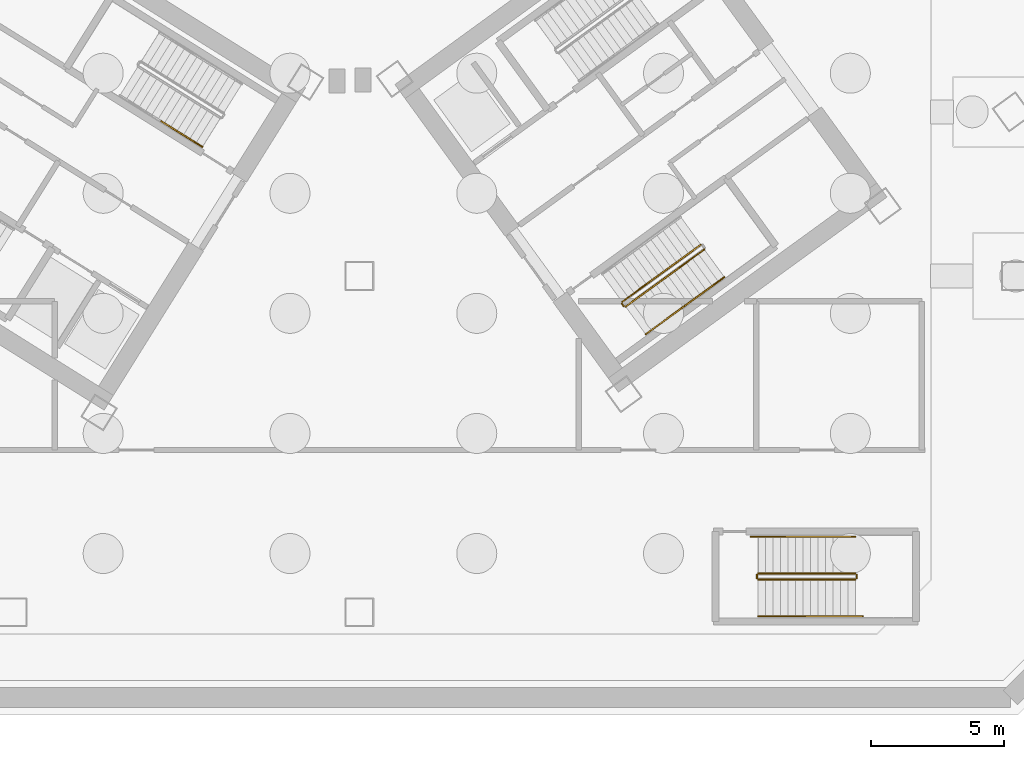
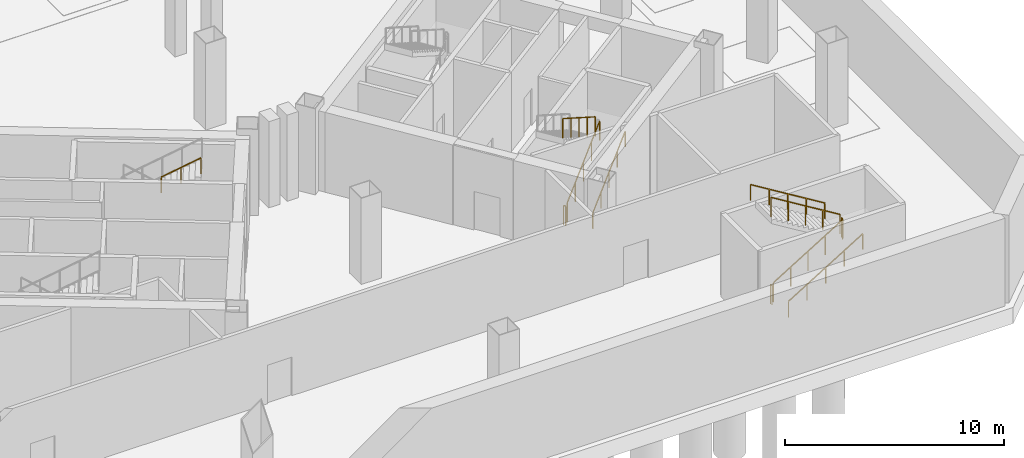
# One storey, part 9 of 11: 12 railings.
"""IFC4 building model written with IfcOpenShell, lengths in metres."""

import ifcopenshell
import ifcopenshell.guid

model = None  # the IFC model being written
_history = None  # IfcOwnerHistory: only IFC2X3 demands one
_inside = {}  # id of a spatial element -> (the spatial element, [elements in it])
_under = {}  # id of a project, library or spatial element -> (it, [spatial elements below it])
_declared = {}  # id of a project -> (the project, [libraries it declares])
_typed = {}  # id of a type object -> (the type object, [elements of that type])
_made_of = {}  # id of a material, layer set ... -> (it, [elements and type objects made of it])


def new_model(schema):
    """Start an empty IFC model of exactly this schema.

    Asked for "IFC4X3", IfcOpenShell would pick the latest addendum, in which some entities
    have other attributes; the version numbers below select the first issue.
    IFC2X3 requires an IfcOwnerHistory on every rooted entity: one is made here for all.
    """
    global model, _history
    if schema == "IFC4X3":
        model = ifcopenshell.file(schema_version=(4, 3, 0, 0))
    else:
        model = ifcopenshell.file(schema=schema)
    _inside.clear()
    _under.clear()
    _declared.clear()
    _typed.clear()
    _made_of.clear()
    _history = None
    if model.schema == "IFC2X3":
        org = make("IfcOrganization", Name="unknown")
        user = make(
            "IfcPersonAndOrganization",
            ThePerson=make("IfcPerson", FamilyName="unknown"),
            TheOrganization=org,
        )
        app = make(
            "IfcApplication",
            ApplicationDeveloper=org,
            Version="unknown",
            ApplicationFullName="unknown",
            ApplicationIdentifier="unknown",
        )
        _history = make(
            "IfcOwnerHistory",
            OwningUser=user,
            OwningApplication=app,
            ChangeAction="ADDED",
            CreationDate=0,
        )
    return model


def make(cls, **values):
    """One entity of the class cls with the attributes given. An attribute that is None is left unset."""
    return model.create_entity(
        cls, **{name: value for name, value in values.items() if value is not None}
    )


def rooted(cls, **values):
    """An entity with a GlobalId (a new one), such as an element, a storey or a relation."""
    return make(cls, GlobalId=ifcopenshell.guid.new(), OwnerHistory=_history, **values)


def si_unit(unit_type, name, prefix=None):
    """IfcSIUnit, for example si_unit("LENGTHUNIT", "METRE", prefix="MILLI")."""
    return make("IfcSIUnit", UnitType=unit_type, Prefix=prefix, Name=name)


def assignment(units):
    """IfcUnitAssignment: the units of a project."""
    return None if units is None else make("IfcUnitAssignment", Units=units)


def point(xyz):
    """IfcCartesianPoint."""
    return None if xyz is None else make("IfcCartesianPoint", Coordinates=xyz)


def direction(xyz):
    """IfcDirection."""
    return None if xyz is None else make("IfcDirection", DirectionRatios=xyz)


def frame(location, z_axis=None, x_axis=None):
    """IfcAxis2Placement3D, a coordinate frame: its origin and axes. An axis left out is left unset."""
    return make(
        "IfcAxis2Placement3D",
        Location=point(location),
        Axis=direction(z_axis),
        RefDirection=direction(x_axis),
    )


def frame_2d(location, x_axis=None):
    """IfcAxis2Placement2D, a coordinate frame in the plane: its origin and x axis."""
    return make(
        "IfcAxis2Placement2D", Location=point(location), RefDirection=direction(x_axis)
    )


def origin():
    """The frame at (0, 0, 0) with its axes left unset."""
    return frame((0.0, 0.0, 0.0))


def origin_2d():
    """The frame at (0, 0) in the plane with its x axis left unset."""
    return frame_2d((0.0, 0.0))


def place(relative_to, where):
    """IfcLocalPlacement: puts the frame where relative to a parent placement (None: the world)."""
    return make(
        "IfcLocalPlacement", PlacementRelTo=relative_to, RelativePlacement=where
    )


def context(
    kind, dimensions, precision=None, world=None, true_north=None, identifier=None
):
    """IfcGeometricRepresentationContext, for example the 3D "Model" context."""
    return make(
        "IfcGeometricRepresentationContext",
        ContextIdentifier=identifier,
        ContextType=kind,
        CoordinateSpaceDimension=dimensions,
        Precision=precision,
        WorldCoordinateSystem=world,
        TrueNorth=true_north,
    )


def subcontext(parent, identifier, kind, view, scale=None):
    """IfcGeometricRepresentationSubContext, for example "Body" below "Model"."""
    return make(
        "IfcGeometricRepresentationSubContext",
        ContextIdentifier=identifier,
        ContextType=kind,
        ParentContext=parent,
        TargetScale=scale,
        TargetView=view,
    )


def project(units=None, contexts=None):
    """IfcProject with its units and contexts."""
    return rooted(
        "IfcProject",
        Name="project",
        RepresentationContexts=contexts,
        UnitsInContext=assignment(units),
    )


def spatial(cls, under=None, at=None, **own):
    """A site, building, storey or space (cls), placed at a placement, below another one or the project."""
    s = rooted(cls, ObjectPlacement=at, **own)
    if under is not None:
        _under.setdefault(under.id(), (under, []))[1].append(s)
    return s


def profile(cls, at=None, kind="AREA", **sizes):
    """A parametric profile (cls). Its sizes go by their IFC names, for example OverallWidth=200.0."""
    return make(cls, ProfileType=kind, Position=at, **sizes)


def rectangle(**sizes):
    """IfcRectangleProfileDef."""
    return profile("IfcRectangleProfileDef", **sizes)


def extrude(swept, where, along, depth):
    """IfcExtrudedAreaSolid: the profile swept, set in the frame where, extruded along a direction by depth."""
    return make(
        "IfcExtrudedAreaSolid",
        SweptArea=swept,
        Position=where,
        ExtrudedDirection=direction(along),
        Depth=depth,
    )


def shape(context_of_items, identifier, shape_type, items):
    """IfcShapeRepresentation: the items that make up one representation, for example the "Body"."""
    return make(
        "IfcShapeRepresentation",
        ContextOfItems=context_of_items,
        RepresentationIdentifier=identifier,
        RepresentationType=shape_type,
        Items=items,
    )


def source(mapping_origin, context_of_items, identifier, shape_type, items):
    """IfcRepresentationMap: a shape defined once, which mapped items show again and again."""
    return make(
        "IfcRepresentationMap",
        MappingOrigin=mapping_origin,
        MappedRepresentation=shape(context_of_items, identifier, shape_type, items),
    )


def transform(
    local_origin,
    x_axis=None,
    y_axis=None,
    z_axis=None,
    scale=None,
    scale2=None,
    scale3=None,
    uniform=True,
):
    """IfcCartesianTransformationOperator3D, or its non-uniform kind. x_axis, y_axis, z_axis: its Axis1, 2, 3."""
    if uniform:
        return make(
            "IfcCartesianTransformationOperator3D",
            Axis1=direction(x_axis),
            Axis2=direction(y_axis),
            LocalOrigin=point(local_origin),
            Scale=scale,
            Axis3=direction(z_axis),
        )
    return make(
        "IfcCartesianTransformationOperator3DnonUniform",
        Axis1=direction(x_axis),
        Axis2=direction(y_axis),
        LocalOrigin=point(local_origin),
        Scale=scale,
        Axis3=direction(z_axis),
        Scale2=scale2,
        Scale3=scale3,
    )


def mapped(mapping_source, mapping_target):
    """IfcMappedItem: shows the shape of a source again, moved by a transform."""
    return make(
        "IfcMappedItem", MappingSource=mapping_source, MappingTarget=mapping_target
    )


def material(Name=None, Category=None):
    """IfcMaterial."""
    return make("IfcMaterial", Name=Name, Category=Category)


def made_of(thing, what):
    """Note that an element or type object is made of a material, layer set ...; save() writes the relation."""
    if what is not None:
        _made_of.setdefault(what.id(), (what, []))[1].append(thing)
    return thing


def type_object(cls, material=None, **own):
    """A type object (cls), such as IfcWallType, which elements share."""
    return made_of(rooted(cls, **own), material)


def element(
    cls,
    number,
    at=None,
    inside=None,
    cuts=None,
    type_object=None,
    material=None,
    context=None,
    identifier="Body",
    shape_type=None,
    held_by="IfcProductDefinitionShape",
    body=None,
    shapes=None,
    **own,
):
    """One element of the class cls, such as IfcWall. Its Tag is "e" and its number.

    at: its placement. inside: the storey or other place that contains it. cuts: it is an
    opening in that element (IfcRelVoidsElement). A single representation is given by context,
    identifier, shape_type and body (its items); several are given by shapes. held_by: the class
    of the entity that holds the representations. save() writes the other relations.
    """
    e = rooted(cls, Tag="e%d" % number, ObjectPlacement=at, **own)
    if body is not None:
        shapes = [shape(context, identifier, shape_type, body)]
    if shapes is not None:
        e.Representation = make(held_by, Representations=shapes)
    if inside is not None:
        _inside.setdefault(inside.id(), (inside, []))[1].append(e)
    if cuts is not None:
        rooted(
            "IfcRelVoidsElement", RelatingBuildingElement=cuts, RelatedOpeningElement=e
        )
    if type_object is not None:
        _typed.setdefault(type_object.id(), (type_object, []))[1].append(e)
    return made_of(e, material)


def aggregate(whole, parts):
    """IfcRelAggregates: a whole, such as a stair, and the parts it consists of."""
    return rooted("IfcRelAggregates", RelatingObject=whole, RelatedObjects=parts)


def save(model, path):
    """Write the relations noted so far, then the file.

    IfcRelAggregates (storeys below a building ...), IfcRelContainedInSpatialStructure (elements
    in a storey), IfcRelDefinesByType, IfcRelAssociatesMaterial and IfcRelDeclares: one each for
    every whole, place, type object, material and project.
    """
    for whole, parts in _under.values():
        aggregate(whole, parts)
    for where, things in _inside.values():
        rooted(
            "IfcRelContainedInSpatialStructure",
            RelatedElements=things,
            RelatingStructure=where,
        )
    for kind, things in _typed.values():
        rooted("IfcRelDefinesByType", RelatedObjects=things, RelatingType=kind)
    for what, things in _made_of.values():
        rooted("IfcRelAssociatesMaterial", RelatedObjects=things, RelatingMaterial=what)
    for by, libraries in _declared.values():
        rooted("IfcRelDeclares", RelatingContext=by, RelatedDefinitions=libraries)
    model.write(path)


model = new_model("IFC4")

# Units and contexts
model_context = context("Model", 3, precision=1e-05, world=origin(), true_north=direction((0.0, 1.0)))
body_context = subcontext(model_context, "Body", "Model", "MODEL_VIEW")
ifc_project = project(units=[si_unit("LENGTHUNIT", "METRE"), si_unit("AREAUNIT", "SQUARE_METRE"), si_unit("VOLUMEUNIT", "CUBIC_METRE"), si_unit("PLANEANGLEUNIT", "RADIAN"), si_unit("MASSUNIT", "GRAM", prefix="KILO")], contexts=[model_context])

# Site, building, storey
site_placement = place(None, origin())
site = spatial("IfcSite", under=ifc_project, at=site_placement, CompositionType="ELEMENT")
building_placement = place(site_placement, origin())
building = spatial("IfcBuilding", under=site, at=building_placement, Name="Tlacorven Tower", CompositionType="ELEMENT")
storey_placement = place(building_placement, frame((0.0, 0.0, -9.60009765625)))
storey = spatial("IfcBuildingStorey", under=building, at=storey_placement, Name="B2", CompositionType="ELEMENT", Elevation=-9.60009765625)

# Railings
ifc_material = material(Name="Aluminium and painted steel balustrade", Category="steel")
railing_type_1 = type_object("IfcRailingType", Name="RL-HND-0900", PredefinedType="HANDRAIL", material=ifc_material)
shared_shape_1 = source(origin(), body_context, "Body", "SweptSolid", [
    extrude(rectangle(XDim=0.048095703125, YDim=0.048095703125, at=origin_2d()), frame((0.0, 0.0, 0.8759765625), z_axis=(0.723243536433, -0.451998610004, 0.522126463189), x_axis=(0.529974825293, 0.848013375222, 0.0)), (0.0, 0.0, 1.0), 2.134033203125),
    extrude(rectangle(XDim=0.0419921875, YDim=0.0419921875, at=origin_2d()), origin(), (0.0, 0.0, 1.0), 0.851806640625),
    extrude(rectangle(XDim=0.0419921875, YDim=0.0419921875, at=origin_2d()), frame((0.771728515625, -0.482421875, 0.55712890625)), (0.0, 0.0, 1.0), 0.851806640625),
    extrude(rectangle(XDim=0.0419921875, YDim=0.0419921875, at=origin_2d()), frame((1.54345703125, -0.964599609375, 1.1142578125)), (0.0, 0.0, 1.0), 0.851806640625),
])
railing_1_placement = place(storey_placement, frame((35.3740234375, 23.001953125, 3.685791015625)))
element("IfcRailing", 1, at=railing_1_placement, inside=storey, type_object=railing_type_1, Name="B2 ST-W2 stair handrail 4", PredefinedType="HANDRAIL", context=body_context, shape_type="MappedRepresentation", body=[
    mapped(shared_shape_1, transform((0.0, 0.0, 0.0), scale=1.0)),
])
railing_type_2 = type_object("IfcRailingType", Name="RL-GRD-1100", PredefinedType="GUARDRAIL", material=ifc_material)
shared_shape_2 = source(origin(), body_context, "Body", "SweptSolid", [
    extrude(rectangle(XDim=0.048095703125, YDim=0.048095703125, at=origin_2d()), frame((0.0, 0.0, 1.076171875), z_axis=(-0.587567097037, 0.809175448515, 0.0), x_axis=(-0.809175448515, -0.587567097037, 0.0)), (0.0, 0.0, 1.0), 0.1201171875),
    extrude(rectangle(XDim=0.0419921875, YDim=0.0419921875, at=origin_2d()), origin(), (0.0, 0.0, 1.0), 1.052001953125),
    extrude(rectangle(XDim=0.0419921875, YDim=0.0419921875, at=origin_2d()), frame((-0.070556640625, 0.09716796875, 0.0)), (0.0, 0.0, 1.0), 1.052001953125),
])
railing_2_placement = place(storey_placement, frame((52.71142578125, 16.065673828125, 0.0)))
element("IfcRailing", 2, at=railing_2_placement, inside=storey, type_object=railing_type_2, Name="B2 ST-E2 stair guard 4", PredefinedType="GUARDRAIL", context=body_context, shape_type="MappedRepresentation", body=[
    mapped(shared_shape_2, transform((0.0, 0.0, 0.0), scale=1.0)),
])
shared_shape_3 = source(origin(), body_context, "Body", "SweptSolid", [
    extrude(rectangle(XDim=0.048095703125, YDim=0.048095703125, at=origin_2d()), frame((0.0, 0.0, 1.076171875), z_axis=(-0.689987059858, -0.501273139242, 0.522152369623), x_axis=(0.587760844897, -0.809034726823, 0.0)), (0.0, 0.0, 1.0), 4.267822265625),
    extrude(rectangle(XDim=0.0419921875, YDim=0.0419921875, at=origin_2d()), origin(), (0.0, 0.0, 1.0), 1.052001953125),
    extrude(rectangle(XDim=0.0419921875, YDim=0.0419921875, at=origin_2d()), frame((-0.736328125, -0.534912109375, 0.55712890625)), (0.0, 0.0, 1.0), 1.052001953125),
    extrude(rectangle(XDim=0.0419921875, YDim=0.0419921875, at=origin_2d()), frame((-1.472412109375, -1.06982421875, 1.1142578125)), (0.0, 0.0, 1.0), 1.052001953125),
    extrude(rectangle(XDim=0.0419921875, YDim=0.0419921875, at=origin_2d()), frame((-2.20849609375, -1.6044921875, 1.67138671875)), (0.0, 0.0, 1.0), 1.052001953125),
    extrude(rectangle(XDim=0.0419921875, YDim=0.0419921875, at=origin_2d()), frame((-2.94482421875, -2.139404296875, 2.228515625)), (0.0, 0.0, 1.0), 1.052001953125),
])
railing_3_placement = place(storey_placement, frame((55.5966796875, 18.3720703125, 2.571533203125)))
element("IfcRailing", 3, at=railing_3_placement, inside=storey, type_object=railing_type_2, Name="B2 ST-E2 stair guard 3", PredefinedType="GUARDRAIL", context=body_context, shape_type="MappedRepresentation", body=[
    mapped(shared_shape_3, transform((0.0, 0.0, 0.0), scale=1.0)),
])
shared_shape_4 = source(origin(), body_context, "Body", "SweptSolid", [
    extrude(rectangle(XDim=0.048095703125, YDim=0.048095703125, at=origin_2d()), frame((0.0, 0.0, 0.8759765625), z_axis=(0.689967274537, 0.501315967008, 0.522137396947), x_axis=(-0.587804744085, 0.8090028324, 0.0)), (0.0, 0.0, 1.0), 2.134033203125),
    extrude(rectangle(XDim=0.0419921875, YDim=0.0419921875, at=origin_2d()), origin(), (0.0, 0.0, 1.0), 0.851806640625),
    extrude(rectangle(XDim=0.0419921875, YDim=0.0419921875, at=origin_2d()), frame((0.736328125, 0.534912109375, 0.55712890625)), (0.0, 0.0, 1.0), 0.851806640625),
    extrude(rectangle(XDim=0.0419921875, YDim=0.0419921875, at=origin_2d()), frame((1.472412109375, 1.06982421875, 1.1142578125)), (0.0, 0.0, 1.0), 0.851806640625),
])
for number, where, name in (
    (4, (53.53369140625, 15.01904296875, 0.171630859375), "B2 ST-E2 stair handrail 1"),
    (5, (55.006103515625, 16.0888671875, 1.285888671875), "B2 ST-E2 stair handrail 2"),
):
    element("IfcRailing", number, at=place(storey_placement, frame(where)), inside=storey, type_object=railing_type_1, Name=name, PredefinedType="HANDRAIL", context=body_context, shape_type="MappedRepresentation", body=[
        mapped(shared_shape_4, transform((0.0, 0.0, 0.0), scale=1.0)),
    ])
shared_shape_5 = source(origin(), body_context, "Body", "SweptSolid", [
    extrude(rectangle(XDim=0.048095703125, YDim=0.048095703125, at=origin_2d()), frame((0.0, 0.0, 1.076171875), z_axis=(0.689987059858, 0.501273139242, 0.522152369623), x_axis=(-0.587760844897, 0.809034726823, 0.0)), (0.0, 0.0, 1.0), 4.267822265625),
    extrude(rectangle(XDim=0.0419921875, YDim=0.0419921875, at=origin_2d()), origin(), (0.0, 0.0, 1.0), 1.052001953125),
    extrude(rectangle(XDim=0.0419921875, YDim=0.0419921875, at=origin_2d()), frame((0.736328125, 0.534912109375, 0.55712890625)), (0.0, 0.0, 1.0), 1.052001953125),
    extrude(rectangle(XDim=0.0419921875, YDim=0.0419921875, at=origin_2d()), frame((1.472412109375, 1.06982421875, 1.1142578125)), (0.0, 0.0, 1.0), 1.052001953125),
    extrude(rectangle(XDim=0.0419921875, YDim=0.0419921875, at=origin_2d()), frame((2.20849609375, 1.6044921875, 1.67138671875)), (0.0, 0.0, 1.0), 1.052001953125),
    extrude(rectangle(XDim=0.0419921875, YDim=0.0419921875, at=origin_2d()), frame((2.94482421875, 2.139404296875, 2.228515625)), (0.0, 0.0, 1.0), 1.052001953125),
])
railing_4_placement = place(storey_placement, frame((52.78125, 16.0546875, 0.171630859375)))
element("IfcRailing", 6, at=railing_4_placement, inside=storey, type_object=railing_type_2, Name="B2 ST-E2 stair guard 1", PredefinedType="GUARDRAIL", context=body_context, shape_type="MappedRepresentation", body=[
    mapped(shared_shape_5, transform((0.0, 0.0, 0.0), scale=1.0)),
])
shared_shape_6 = source(origin(), body_context, "Body", "SweptSolid", [
    extrude(rectangle(XDim=0.048095703125, YDim=0.048095703125, at=origin_2d()), frame((0.0, 0.0, 1.076171875), z_axis=(0.852850264322, 0.0, 0.5221555579), x_axis=(0.0, 1.0, 0.0)), (0.0, 0.0, 1.0), 4.267822265625),
    extrude(rectangle(XDim=0.0419921875, YDim=0.0419921875, at=origin_2d()), origin(), (0.0, 0.0, 1.0), 1.052001953125),
    extrude(rectangle(XDim=0.0419921875, YDim=0.0419921875, at=origin_2d()), frame((0.909912109375, 0.0, 0.55712890625)), (0.0, 0.0, 1.0), 1.052001953125),
    extrude(rectangle(XDim=0.0419921875, YDim=0.0419921875, at=origin_2d()), frame((1.81982421875, 0.0, 1.1142578125)), (0.0, 0.0, 1.0), 1.052001953125),
    extrude(rectangle(XDim=0.0419921875, YDim=0.0419921875, at=origin_2d()), frame((2.72998046875, 0.0, 1.67138671875)), (0.0, 0.0, 1.0), 1.052001953125),
    extrude(rectangle(XDim=0.0419921875, YDim=0.0419921875, at=origin_2d()), frame((3.639892578125, 0.0, 2.228515625)), (0.0, 0.0, 1.0), 1.052001953125),
])
railing_5_placement = place(storey_placement, frame((57.75, 5.830078125, 0.171630859375)))
element("IfcRailing", 7, at=railing_5_placement, inside=storey, type_object=railing_type_2, Name="B2 ST-P2 stair guard 1", PredefinedType="GUARDRAIL", context=body_context, shape_type="MappedRepresentation", body=[
    mapped(shared_shape_6, transform((0.0, 0.0, 0.0), scale=1.0)),
])
shared_shape_7 = source(origin(), body_context, "Body", "SweptSolid", [
    extrude(rectangle(XDim=0.048095703125, YDim=0.048095703125, at=origin_2d()), frame((0.0, 0.0, 1.076171875), z_axis=(0.0, 1.0, 0.0), x_axis=(-1.0, 0.0, 0.0)), (0.0, 0.0, 1.0), 0.1201171875),
    extrude(rectangle(XDim=0.0419921875, YDim=0.0419921875, at=origin_2d()), origin(), (0.0, 0.0, 1.0), 1.052001953125),
    extrude(rectangle(XDim=0.0419921875, YDim=0.0419921875, at=origin_2d()), frame((0.0, 0.1201171875, 0.0)), (0.0, 0.0, 1.0), 1.052001953125),
])
for number, where, name in (
    (8, (61.43994140625, 5.8798828125, 2.400146484375), "B2 ST-P2 stair guard 2"),
    (9, (57.699951171875, 5.8798828125, 0.0), "B2 ST-P2 stair guard 4"),
):
    element("IfcRailing", number, at=place(storey_placement, frame(where)), inside=storey, type_object=railing_type_2, Name=name, PredefinedType="GUARDRAIL", context=body_context, shape_type="MappedRepresentation", body=[
        mapped(shared_shape_7, transform((0.0, 0.0, 0.0), scale=1.0)),
    ])
shared_shape_8 = source(origin(), body_context, "Body", "SweptSolid", [
    extrude(rectangle(XDim=0.048095703125, YDim=0.048095703125, at=origin_2d()), frame((0.0, 0.0, 1.076171875), z_axis=(-0.852850264322, 0.0, 0.5221555579), x_axis=(0.0, -1.0, 0.0)), (0.0, 0.0, 1.0), 4.267822265625),
    extrude(rectangle(XDim=0.0419921875, YDim=0.0419921875, at=origin_2d()), origin(), (0.0, 0.0, 1.0), 1.052001953125),
    extrude(rectangle(XDim=0.0419921875, YDim=0.0419921875, at=origin_2d()), frame((-0.909912109375, 0.0, 0.55712890625)), (0.0, 0.0, 1.0), 1.052001953125),
    extrude(rectangle(XDim=0.0419921875, YDim=0.0419921875, at=origin_2d()), frame((-1.81982421875, 0.0, 1.1142578125)), (0.0, 0.0, 1.0), 1.052001953125),
    extrude(rectangle(XDim=0.0419921875, YDim=0.0419921875, at=origin_2d()), frame((-2.72998046875, 0.0, 1.67138671875)), (0.0, 0.0, 1.0), 1.052001953125),
    extrude(rectangle(XDim=0.0419921875, YDim=0.0419921875, at=origin_2d()), frame((-3.639892578125, 0.0, 2.228515625)), (0.0, 0.0, 1.0), 1.052001953125),
])
railing_6_placement = place(storey_placement, frame((61.389892578125, 6.050048828125, 2.571533203125)))
element("IfcRailing", 10, at=railing_6_placement, inside=storey, type_object=railing_type_2, Name="B2 ST-P2 stair guard 3", PredefinedType="GUARDRAIL", context=body_context, shape_type="MappedRepresentation", body=[
    mapped(shared_shape_8, transform((0.0, 0.0, 0.0), scale=1.0)),
])
shared_shape_9 = source(origin(), body_context, "Body", "SweptSolid", [
    extrude(rectangle(XDim=0.048095703125, YDim=0.048095703125, at=origin_2d()), frame((0.0, 0.0, 0.8759765625), z_axis=(0.852856131449, 0.0, 0.522145974847), x_axis=(0.0, 1.0, 0.0)), (0.0, 0.0, 1.0), 4.59619140625),
    extrude(rectangle(XDim=0.0419921875, YDim=0.0419921875, at=origin_2d()), origin(), (0.0, 0.0, 1.0), 0.851806640625),
    extrude(rectangle(XDim=0.0419921875, YDim=0.0419921875, at=origin_2d()), frame((0.97998046875, 0.0, 0.60009765625)), (0.0, 0.0, 1.0), 0.851806640625),
    extrude(rectangle(XDim=0.0419921875, YDim=0.0419921875, at=origin_2d()), frame((1.9599609375, 0.0, 1.199951171875)), (0.0, 0.0, 1.0), 0.851806640625),
    extrude(rectangle(XDim=0.0419921875, YDim=0.0419921875, at=origin_2d()), frame((2.93994140625, 0.0, 1.7998046875)), (0.0, 0.0, 1.0), 0.851806640625),
    extrude(rectangle(XDim=0.0419921875, YDim=0.0419921875, at=origin_2d()), frame((3.919921875, 0.0, 2.39990234375)), (0.0, 0.0, 1.0), 0.851806640625),
])
railing_7_placement = place(storey_placement, frame((57.75, 4.449951171875, 0.171630859375)))
element("IfcRailing", 11, at=railing_7_placement, inside=storey, type_object=railing_type_1, Name="B2 ST-P2 stair handrail 1", PredefinedType="HANDRAIL", context=body_context, shape_type="MappedRepresentation", body=[
    mapped(shared_shape_9, transform((0.0, 0.0, 0.0), scale=1.0)),
])
shared_shape_10 = source(origin(), body_context, "Body", "SweptSolid", [
    extrude(rectangle(XDim=0.048095703125, YDim=0.048095703125, at=origin_2d()), frame((0.0, 0.0, 0.8759765625), z_axis=(-0.852856131449, 0.0, 0.522145974847), x_axis=(0.0, -1.0, 0.0)), (0.0, 0.0, 1.0), 4.59619140625),
    extrude(rectangle(XDim=0.0419921875, YDim=0.0419921875, at=origin_2d()), origin(), (0.0, 0.0, 1.0), 0.851806640625),
    extrude(rectangle(XDim=0.0419921875, YDim=0.0419921875, at=origin_2d()), frame((-0.97998046875, 0.0, 0.60009765625)), (0.0, 0.0, 1.0), 0.851806640625),
    extrude(rectangle(XDim=0.0419921875, YDim=0.0419921875, at=origin_2d()), frame((-1.9599609375, 0.0, 1.199951171875)), (0.0, 0.0, 1.0), 0.851806640625),
    extrude(rectangle(XDim=0.0419921875, YDim=0.0419921875, at=origin_2d()), frame((-2.93994140625, 0.0, 1.7998046875)), (0.0, 0.0, 1.0), 0.851806640625),
    extrude(rectangle(XDim=0.0419921875, YDim=0.0419921875, at=origin_2d()), frame((-3.919921875, 0.0, 2.39990234375)), (0.0, 0.0, 1.0), 0.851806640625),
])
railing_8_placement = place(storey_placement, frame((61.389892578125, 7.429931640625, 2.571533203125)))
element("IfcRailing", 12, at=railing_8_placement, inside=storey, type_object=railing_type_1, Name="B2 ST-P2 stair handrail 2", PredefinedType="HANDRAIL", context=body_context, shape_type="MappedRepresentation", body=[
    mapped(shared_shape_10, transform((0.0, 0.0, 0.0), scale=1.0)),
])

save(model, "model.ifc")
